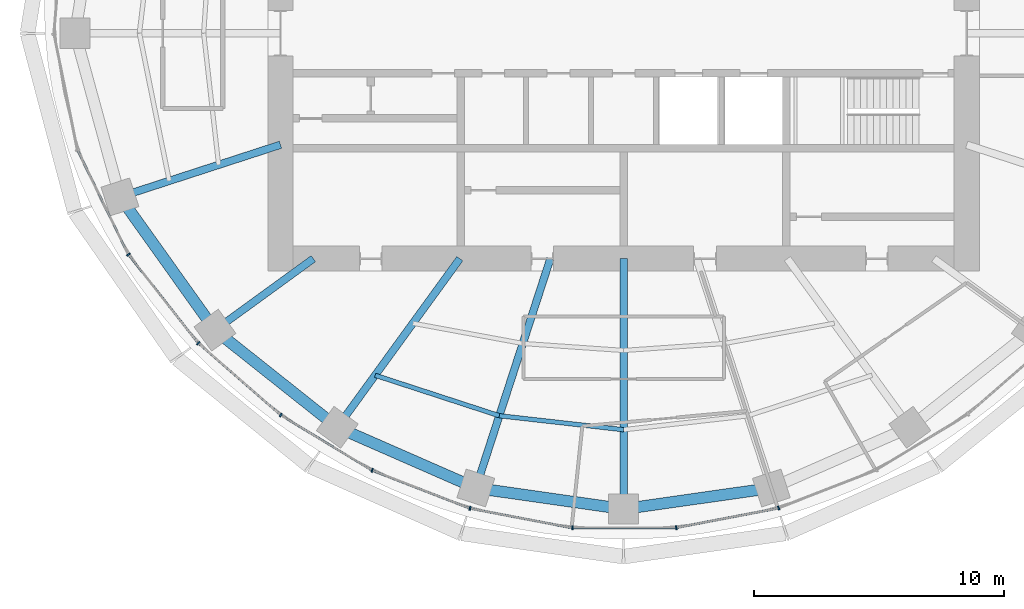
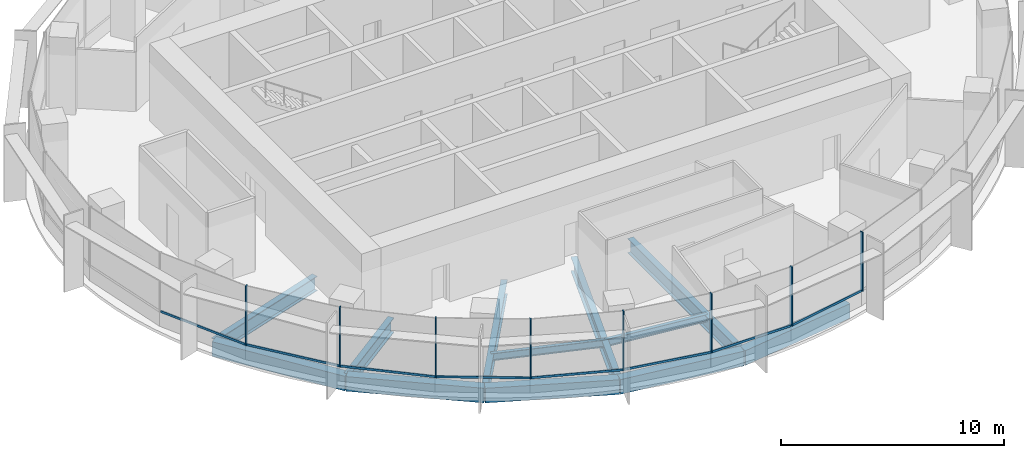
# One storey, part 2 of 13: 16 members, 12 beams, 2 elements without a shape of their own.
"""IFC4 building model written with IfcOpenShell, lengths in metres."""

from ifc_helpers import new_model, si_unit, direction, frame, origin, origin_2d, place, context, subcontext, project, spatial, rectangle, i_section, extrude, material, material_profile, profile_set, type_object, element, aggregate, save


model = new_model("IFC4")

# Units and contexts
model_context = context("Model", 3, precision=1e-05, world=origin(), true_north=direction((0.0, 1.0)))
body_context = subcontext(model_context, "Body", "Model", "MODEL_VIEW")
ifc_project = project(units=[si_unit("LENGTHUNIT", "METRE"), si_unit("AREAUNIT", "SQUARE_METRE"), si_unit("VOLUMEUNIT", "CUBIC_METRE"), si_unit("PLANEANGLEUNIT", "RADIAN"), si_unit("MASSUNIT", "GRAM", prefix="KILO")], contexts=[model_context])

# Site, building, storey
site_placement = place(None, origin())
site = spatial("IfcSite", under=ifc_project, at=site_placement, CompositionType="ELEMENT")
building_placement = place(site_placement, origin())
building = spatial("IfcBuilding", under=site, at=building_placement, Name="Marramba Exchange Tower", CompositionType="ELEMENT")
storey_placement = place(building_placement, frame((0.0, 0.0, 256.0)))
storey = spatial("IfcBuildingStorey", under=building, at=storey_placement, Name="L62", CompositionType="ELEMENT", Elevation=256.0)

# Curtain wall, members
ifc_material_1 = material(Name="Aluminium framing, bronze anodised", Category="aluminium")
curtain_wall_type = type_object("IfcCurtainWallType", Name="Executive floor ribbon curtain wall", PredefinedType="USERDEFINED", material=ifc_material_1)
curtain_wall_1_placement = place(storey_placement, origin())
curtain_wall_1 = element("IfcCurtainWall", 1, at=curtain_wall_1_placement, inside=storey, type_object=curtain_wall_type, Name="Curtain wall CW5 L62 F16-F20", ObjectType="RIBBON CURTAIN WALL", PredefinedType="USERDEFINED")
ifc_material_2 = material(Name="Aluminium mullion, bronze anodised", Category="aluminium")
ifc_material_profile_1 = material_profile(ifc_material_2, rectangle(XDim=0.159912109375, YDim=0.06005859375, at=origin_2d()), Name="CW5 mullion 60x160")
ifc_profile_set_1 = profile_set([ifc_material_profile_1], Name="Aluminium mullion, bronze anodised")
member_type_1 = type_object("IfcMemberType", Name="Executive floor ribbon curtain wall mullion", PredefinedType="MULLION", material=ifc_profile_set_1)
member_1_placement = place(storey_placement, frame((-19.771240234375, -8.83447265625, 0.800048828125), z_axis=(0.0, 0.0, 1.0), x_axis=(0.78594954734, 0.618290634763, 0.0)))
member_1 = element("IfcMember", 2, at=member_1_placement, type_object=member_type_1, Name="CW5 mullion 1", PredefinedType="MULLION", context=body_context, shape_type="SweptSolid", body=[
    extrude(rectangle(XDim=0.159912109375, YDim=0.06005859375, at=origin_2d()), origin(), (0.0, 0.0, 1.0), 3.239990234375),
])
member_2_placement = place(storey_placement, frame((-16.98046875, -12.373291015625, 0.800048828125), z_axis=(0.0, 0.0, 1.0), x_axis=(0.658305290779, 0.752751050569, 0.0)))
member_2 = element("IfcMember", 3, at=member_2_placement, type_object=member_type_1, Name="CW5 mullion 1", PredefinedType="MULLION", context=body_context, shape_type="SweptSolid", body=[
    extrude(rectangle(XDim=0.159912109375, YDim=0.06005859375, at=origin_2d()), origin(), (0.0, 0.0, 1.0), 3.239990234375),
])
member_3_placement = place(storey_placement, frame((-13.687744140625, -15.245849609375, 0.800048828125), z_axis=(0.0, 0.0, 1.0), x_axis=(0.519115121209, 0.854704329539, 0.0)))
member_3 = element("IfcMember", 4, at=member_3_placement, type_object=member_type_1, Name="CW5 mullion 1", PredefinedType="MULLION", context=body_context, shape_type="SweptSolid", body=[
    extrude(rectangle(XDim=0.159912109375, YDim=0.06005859375, at=origin_2d()), origin(), (0.0, 0.0, 1.0), 3.239990234375),
])

curtain_wall_2_placement = place(storey_placement, origin())
curtain_wall_2 = element("IfcCurtainWall", 5, at=curtain_wall_2_placement, inside=storey, type_object=curtain_wall_type, Name="Curtain wall CW5 L62 F21-F25", ObjectType="RIBBON CURTAIN WALL", PredefinedType="USERDEFINED")
member_4_placement = place(storey_placement, frame((-10.042724609375, -17.45361328125, 0.800048828125), z_axis=(0.0, 0.0, 1.0), x_axis=(0.363010271018, 0.931785137859, 0.0)))
member_4 = element("IfcMember", 6, at=member_4_placement, type_object=member_type_1, Name="CW5 mullion 1", PredefinedType="MULLION", context=body_context, shape_type="SweptSolid", body=[
    extrude(rectangle(XDim=0.159912109375, YDim=0.06005859375, at=origin_2d()), origin(), (0.0, 0.0, 1.0), 3.239990234375),
])
member_5_placement = place(storey_placement, frame((-6.1328125, -18.97119140625, 0.800048828125), z_axis=(0.0, 0.0, 1.0), x_axis=(0.187873198899, 0.982193291127, 0.0)))
member_5 = element("IfcMember", 7, at=member_5_placement, type_object=member_type_1, Name="CW5 mullion 1", PredefinedType="MULLION", context=body_context, shape_type="SweptSolid", body=[
    extrude(rectangle(XDim=0.159912109375, YDim=0.06005859375, at=origin_2d()), origin(), (0.0, 0.0, 1.0), 3.239990234375),
])
member_6_placement = place(storey_placement, frame((-2.04541015625, -19.7470703125, 0.800048828125), z_axis=(0.0, 0.0, 1.0), x_axis=(0.0, 1.0, 0.0)))
member_6 = element("IfcMember", 8, at=member_6_placement, type_object=member_type_1, Name="CW5 mullion 1", PredefinedType="MULLION", context=body_context, shape_type="SweptSolid", body=[
    extrude(rectangle(XDim=0.159912109375, YDim=0.06005859375, at=origin_2d()), origin(), (0.0, 0.0, 1.0), 3.239990234375),
])
member_7_placement = place(storey_placement, frame((2.10498046875, -19.741455078125, 0.800048828125), z_axis=(0.0, 0.0, 1.0), x_axis=(-0.187873198899, 0.982193291127, 0.0)))
member_7 = element("IfcMember", 9, at=member_7_placement, type_object=member_type_1, Name="CW5 mullion 1", PredefinedType="MULLION", context=body_context, shape_type="SweptSolid", body=[
    extrude(rectangle(XDim=0.159912109375, YDim=0.06005859375, at=origin_2d()), origin(), (0.0, 0.0, 1.0), 3.239990234375),
])
member_8_placement = place(storey_placement, frame((6.190185546875, -18.95458984375, 0.800048828125), z_axis=(0.0, 0.0, 1.0), x_axis=(-0.363010271018, 0.931785137859, 0.0)))
member_8 = element("IfcMember", 10, at=member_8_placement, type_object=member_type_1, Name="CW5 mullion 1", PredefinedType="MULLION", context=body_context, shape_type="SweptSolid", body=[
    extrude(rectangle(XDim=0.159912109375, YDim=0.06005859375, at=origin_2d()), origin(), (0.0, 0.0, 1.0), 3.239990234375),
])

# Member
ifc_material_3 = material(Name="Aluminium transom, bronze anodised", Category="aluminium")
ifc_material_profile_2 = material_profile(ifc_material_3, rectangle(XDim=0.06005859375, YDim=0.1201171875, at=origin_2d()), Name="CW5 transom 60x120")
ifc_profile_set_2 = profile_set([ifc_material_profile_2], Name="Aluminium transom, bronze anodised")
member_type_2 = type_object("IfcMemberType", Name="Executive floor ribbon curtain wall transom", PredefinedType="USERDEFINED", material=ifc_profile_set_2)
member_9_placement = place(storey_placement, frame((-21.788818359375, -4.69091796875, 0.830078125), z_axis=(0.436519399678, -0.899694844769, 0.0), x_axis=(0.899694844769, 0.436519399678, 0.0)))
member_9 = element("IfcMember", 11, at=member_9_placement, type_object=member_type_2, Name="CW5 sill transom", ObjectType="TRANSOM", PredefinedType="USERDEFINED", context=body_context, shape_type="SweptSolid", body=[
    extrude(rectangle(XDim=0.06005859375, YDim=0.1201171875, at=origin_2d()), origin(), (0.0, 0.0, 1.0), 4.579345703125),
])

member_10_placement = place(storey_placement, frame((-19.752685546875, -8.858154296875, 0.830078125), z_axis=(0.61829420435, -0.785946739206, 0.0), x_axis=(0.785946739206, 0.61829420435, 0.0)))
member_10 = element("IfcMember", 12, at=member_10_placement, type_object=member_type_2, Name="CW5 sill transom", ObjectType="TRANSOM", PredefinedType="USERDEFINED", context=body_context, shape_type="SweptSolid", body=[
    extrude(rectangle(XDim=0.06005859375, YDim=0.1201171875, at=origin_2d()), origin(), (0.0, 0.0, 1.0), 4.447265625),
])

member_11_placement = place(storey_placement, frame((-16.957763671875, -12.392822265625, 0.830078125), z_axis=(0.752741590247, -0.658316108198, 0.0), x_axis=(0.658316108198, 0.752741590247, 0.0)))
member_11 = element("IfcMember", 13, at=member_11_placement, type_object=member_type_2, Name="CW5 sill transom", ObjectType="TRANSOM", PredefinedType="USERDEFINED", context=body_context, shape_type="SweptSolid", body=[
    extrude(rectangle(XDim=0.06005859375, YDim=0.1201171875, at=origin_2d()), origin(), (0.0, 0.0, 1.0), 4.31005859375),
])

member_12_placement = place(storey_placement, frame((-13.662109375, -15.261474609375, 0.830078125), z_axis=(0.854701897511, -0.519119125434, 0.0), x_axis=(0.519119125434, 0.854701897511, 0.0)))
member_12 = element("IfcMember", 14, at=member_12_placement, type_object=member_type_2, Name="CW5 sill transom", ObjectType="TRANSOM", PredefinedType="USERDEFINED", context=body_context, shape_type="SweptSolid", body=[
    extrude(rectangle(XDim=0.06005859375, YDim=0.1201171875, at=origin_2d()), origin(), (0.0, 0.0, 1.0), 4.2021484375),
])

aggregate(curtain_wall_1, [member_9, member_1, member_10, member_2, member_11, member_3, member_12])

member_13_placement = place(storey_placement, frame((-10.0146484375, -17.464599609375, 0.830078125), z_axis=(0.931790621773, -0.362996194438, 0.0), x_axis=(0.362996194438, 0.931790621773, 0.0)))
member_13 = element("IfcMember", 15, at=member_13_placement, type_object=member_type_2, Name="CW5 sill transom", ObjectType="TRANSOM", PredefinedType="USERDEFINED", context=body_context, shape_type="SweptSolid", body=[
    extrude(rectangle(XDim=0.06005859375, YDim=0.1201171875, at=origin_2d()), origin(), (0.0, 0.0, 1.0), 4.13427734375),
])

member_14_placement = place(storey_placement, frame((-6.103271484375, -18.976806640625, 0.830078125), z_axis=(0.982201256187, -0.187831553114, 0.0), x_axis=(0.187831553114, 0.982201256187, 0.0)))
member_14 = element("IfcMember", 16, at=member_14_placement, type_object=member_type_2, Name="CW5 sill transom", ObjectType="TRANSOM", PredefinedType="USERDEFINED", context=body_context, shape_type="SweptSolid", body=[
    extrude(rectangle(XDim=0.06005859375, YDim=0.1201171875, at=origin_2d()), origin(), (0.0, 0.0, 1.0), 4.100830078125),
])

member_15_placement = place(storey_placement, frame((-2.015625, -19.7470703125, 0.830078125), z_axis=(1.0, 0.0, 0.0), x_axis=(0.0, 1.0, 0.0)))
member_15 = element("IfcMember", 17, at=member_15_placement, type_object=member_type_2, Name="CW5 sill transom", ObjectType="TRANSOM", PredefinedType="USERDEFINED", context=body_context, shape_type="SweptSolid", body=[
    extrude(rectangle(XDim=0.06005859375, YDim=0.1201171875, at=origin_2d()), origin(), (0.0, 0.0, 1.0), 4.091064453125),
])

member_16_placement = place(storey_placement, frame((2.134521484375, -19.73583984375, 0.830078125), z_axis=(0.982190271195, 0.187888986295, 0.0), x_axis=(-0.187888986295, 0.982190271195, 0.0)))
member_16 = element("IfcMember", 18, at=member_16_placement, type_object=member_type_2, Name="CW5 sill transom", ObjectType="TRANSOM", PredefinedType="USERDEFINED", context=body_context, shape_type="SweptSolid", body=[
    extrude(rectangle(XDim=0.06005859375, YDim=0.1201171875, at=origin_2d()), origin(), (0.0, 0.0, 1.0), 4.100830078125),
])

aggregate(curtain_wall_2, [member_4, member_13, member_5, member_14, member_6, member_15, member_7, member_16, member_8])

# Beams
ifc_material_4 = material(Name="Steel AS/NZS 3679.1 grade 300", Category="steel")
ifc_material_profile_3 = material_profile(ifc_material_4, i_section(OverallWidth=0.177978515625, OverallDepth=0.403076171875, WebThickness=0.007568359375, FlangeThickness=0.010986328125, FilletRadius=0.011474609375, at=origin_2d()), Name="410UB53.7")
ifc_profile_set_3 = profile_set([ifc_material_profile_3], Name="Steel AS/NZS 3679.1 grade 300")
beam_type_1 = type_object("IfcBeamType", Name="Floor joist 410UB53.7", PredefinedType="JOIST", material=ifc_profile_set_3)
beam_1_placement = place(storey_placement, frame((-9.9208984375, -13.655029296875, -0.361572265625), z_axis=(0.950764024931, -0.309915744834, 0.0), x_axis=(0.309915744834, 0.950764024931, 0.0)))
element("IfcBeam", 19, at=beam_1_placement, inside=storey, type_object=beam_type_1, Name="Joist L62 bay 14 row 2", PredefinedType="JOIST", context=body_context, shape_type="SweptSolid", body=[
    extrude(i_section(OverallWidth=0.177978515625, OverallDepth=0.403076171875, WebThickness=0.007568359375, FlangeThickness=0.010986328125, FilletRadius=0.011474609375, at=origin_2d()), origin(), (0.0, 0.0, 1.0), 5.2158203125),
])
beam_2_placement = place(storey_placement, frame((-4.9619140625, -15.271484375, -0.361572265625), z_axis=(0.993712018573, -0.111966174106, 0.0), x_axis=(0.111966174106, 0.993712018573, 0.0)))
element("IfcBeam", 20, at=beam_2_placement, inside=storey, type_object=beam_type_1, Name="Joist L62 bay 15 row 2", PredefinedType="JOIST", context=body_context, shape_type="SweptSolid", body=[
    extrude(i_section(OverallWidth=0.177978515625, OverallDepth=0.403076171875, WebThickness=0.007568359375, FlangeThickness=0.010986328125, FilletRadius=0.011474609375, at=origin_2d()), origin(), (0.0, 0.0, 1.0), 4.993408203125),
])
ifc_material_5 = material(Name="Steel AS/NZS 3679.2 grade 300", Category="steel")
ifc_material_profile_4 = material_profile(ifc_material_5, i_section(OverallWidth=0.300048828125, OverallDepth=0.800048828125, WebThickness=0.013916015625, FlangeThickness=0.031982421875, at=origin_2d()), Name="800WB192")
ifc_profile_set_4 = profile_set([ifc_material_profile_4], Name="Steel AS/NZS 3679.2 grade 300")
beam_type_2 = type_object("IfcBeamType", Name="Radial girder 800WB192", PredefinedType="BEAM", material=ifc_profile_set_4)
beam_3_placement = place(storey_placement, frame((-13.699951171875, -4.451416015625, -0.56005859375), z_axis=(-0.951057759669, -0.309013167637, 0.0), x_axis=(0.309013167637, -0.951057759669, 0.0)))
element("IfcBeam", 21, at=beam_3_placement, inside=storey, type_object=beam_type_2, Name="Radial girder L62 TC12", PredefinedType="BEAM", context=body_context, shape_type="SweptSolid", body=[
    extrude(i_section(OverallWidth=0.300048828125, OverallDepth=0.800048828125, WebThickness=0.013916015625, FlangeThickness=0.031982421875, at=origin_2d()), origin(), (0.0, 0.0, 1.0), 6.7392578125),
])
beam_4_placement = place(storey_placement, frame((-12.387451171875, -9.0, -0.56005859375), z_axis=(-0.809025189606, -0.58777397236, 0.0), x_axis=(0.58777397236, -0.809025189606, 0.0)))
element("IfcBeam", 22, at=beam_4_placement, inside=storey, type_object=beam_type_2, Name="Radial girder L62 TC13", PredefinedType="BEAM", context=body_context, shape_type="SweptSolid", body=[
    extrude(i_section(OverallWidth=0.300048828125, OverallDepth=0.800048828125, WebThickness=0.013916015625, FlangeThickness=0.031982421875, at=origin_2d()), origin(), (0.0, 0.0, 1.0), 4.855224609375),
])
beam_5_placement = place(storey_placement, frame((-6.538818359375, -9.0, -0.56005859375), z_axis=(-0.587787877172, -0.809015087282, 0.0), x_axis=(0.809015087282, -0.587787877172, 0.0)))
element("IfcBeam", 23, at=beam_5_placement, inside=storey, type_object=beam_type_2, Name="Radial girder L62 TC14", PredefinedType="BEAM", context=body_context, shape_type="SweptSolid", body=[
    extrude(i_section(OverallWidth=0.300048828125, OverallDepth=0.800048828125, WebThickness=0.013916015625, FlangeThickness=0.031982421875, at=origin_2d()), origin(), (0.0, 0.0, 1.0), 8.322021484375),
])
beam_6_placement = place(storey_placement, frame((-2.92431640625, -9.0, -0.56005859375), z_axis=(-0.309022428985, -0.951054750466, 0.0), x_axis=(0.951054750466, -0.309022428985, 0.0)))
element("IfcBeam", 24, at=beam_6_placement, inside=storey, type_object=beam_type_2, Name="Radial girder L62 TC15", PredefinedType="BEAM", context=body_context, shape_type="SweptSolid", body=[
    extrude(i_section(OverallWidth=0.300048828125, OverallDepth=0.800048828125, WebThickness=0.013916015625, FlangeThickness=0.031982421875, at=origin_2d()), origin(), (0.0, 0.0, 1.0), 9.628173828125),
])
beam_7_placement = place(storey_placement, frame((0.0, -9.0, -0.56005859375), z_axis=(0.0, -1.0, 0.0), x_axis=(1.0, 0.0, 0.0)))
element("IfcBeam", 25, at=beam_7_placement, inside=storey, type_object=beam_type_2, Name="Radial girder L62 TC16", PredefinedType="BEAM", context=body_context, shape_type="SweptSolid", body=[
    extrude(i_section(OverallWidth=0.300048828125, OverallDepth=0.800048828125, WebThickness=0.013916015625, FlangeThickness=0.031982421875, at=origin_2d()), origin(), (0.0, 0.0, 1.0), 9.99609375),
])
ifc_material_6 = material(Name="Concrete N50", Category="concrete")
ifc_material_profile_5 = material_profile(ifc_material_6, rectangle(XDim=0.449951171875, YDim=0.800048828125, at=origin_2d()), Name="RC 450x800")
ifc_profile_set_5 = profile_set([ifc_material_profile_5], Name="Concrete N50")
beam_type_3 = type_object("IfcBeamType", Name="Ring beam RC 450x800 N50", PredefinedType="SPANDREL", material=ifc_profile_set_5)
beam_8_placement = place(storey_placement, frame((-20.109375, -6.533935546875, -0.56005859375), z_axis=(0.580637181111, -0.814162430914, 0.0), x_axis=(0.814162430914, 0.580637181111, 0.0)))
element("IfcBeam", 26, at=beam_8_placement, inside=storey, type_object=beam_type_3, Name="Ring beam L62 TC12-TC13", PredefinedType="SPANDREL", context=body_context, shape_type="SweptSolid", body=[
    extrude(rectangle(XDim=0.449951171875, YDim=0.800048828125, at=origin_2d()), origin(), (0.0, 0.0, 1.0), 6.5341796875),
])
beam_9_placement = place(storey_placement, frame((-16.3154296875, -11.853759765625, -0.56005859375), z_axis=(0.783139438128, -0.621846138887, 0.0), x_axis=(0.621846138887, 0.783139438128, 0.0)))
element("IfcBeam", 27, at=beam_9_placement, inside=storey, type_object=beam_type_3, Name="Ring beam L62 TC13-TC14", PredefinedType="SPANDREL", context=body_context, shape_type="SweptSolid", body=[
    extrude(rectangle(XDim=0.449951171875, YDim=0.800048828125, at=origin_2d()), origin(), (0.0, 0.0, 1.0), 6.23779296875),
])
beam_10_placement = place(storey_placement, frame((-11.430419921875, -15.732666015625, -0.56005859375), z_axis=(0.915876892158, -0.4014592363, 0.0), x_axis=(0.4014592363, 0.915876892158, 0.0)))
element("IfcBeam", 28, at=beam_10_placement, inside=storey, type_object=beam_type_3, Name="Ring beam L62 TC14-TC15", PredefinedType="SPANDREL", context=body_context, shape_type="SweptSolid", body=[
    extrude(rectangle(XDim=0.449951171875, YDim=0.800048828125, at=origin_2d()), origin(), (0.0, 0.0, 1.0), 6.038818359375),
])
for number, where, z_axis, x_axis, name in (
    (29, (-5.899658203125, -18.156982421875, -0.56005859375), (0.990036163016, -0.140813337152, 0.0), (0.140813337152, 0.990036163016, 0.0), "Ring beam L62 TC15-TC16"),
    (30, (0.0, -18.99609375, -0.56005859375), (0.990036163016, 0.140813337152, 0.0), (-0.140813337152, 0.990036163016, 0.0), "Ring beam L62 TC16-TC17"),
):
    element("IfcBeam", number, at=place(storey_placement, frame(where, z_axis=z_axis, x_axis=x_axis)), inside=storey, type_object=beam_type_3, Name=name, PredefinedType="SPANDREL", context=body_context, shape_type="SweptSolid", body=[
        extrude(rectangle(XDim=0.449951171875, YDim=0.800048828125, at=origin_2d()), origin(), (0.0, 0.0, 1.0), 5.958984375),
    ])

save(model, "model.ifc")
